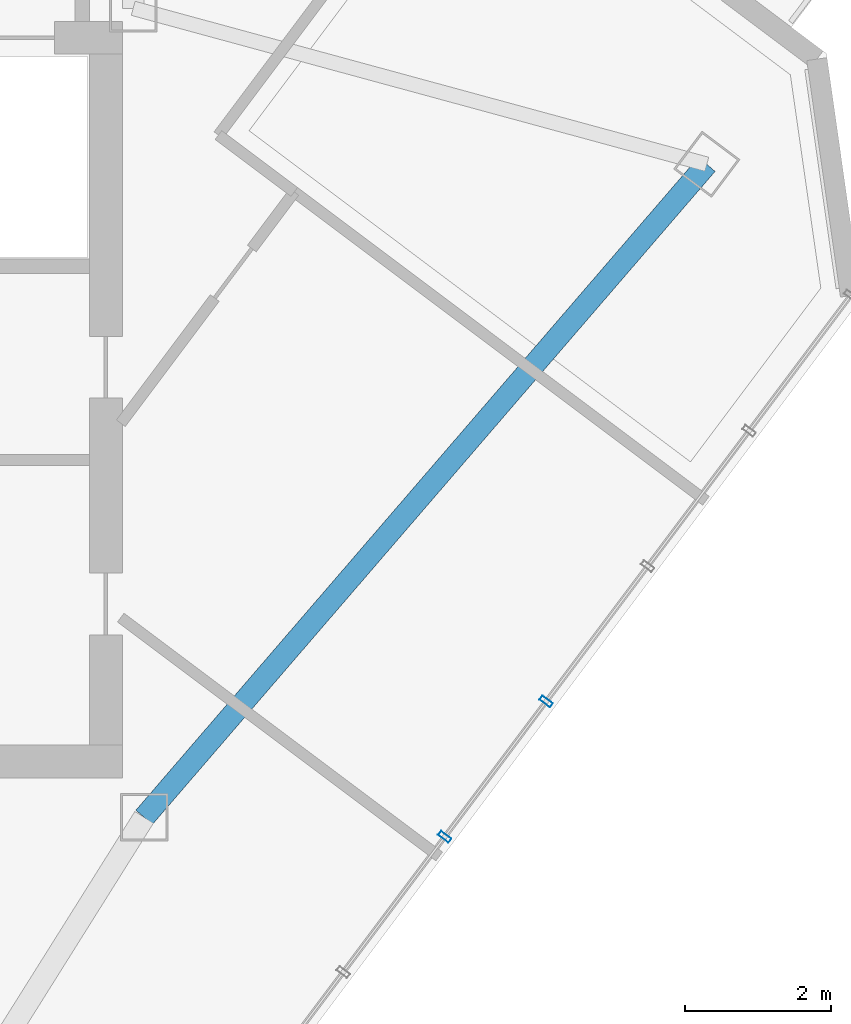
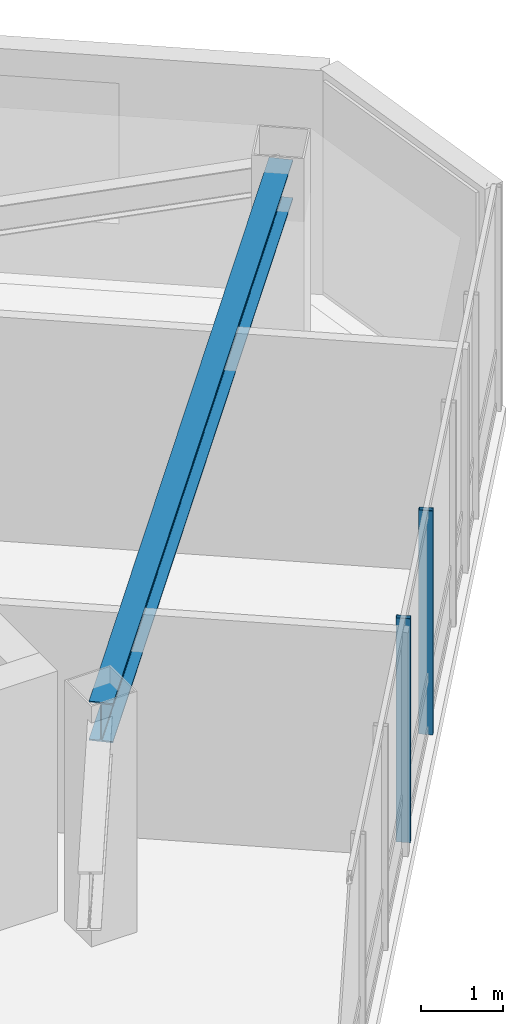
# One storey, part 7 of 22: 2 members, 1 beam, 1 element without a shape of its own.
"""IFC4 building model written with IfcOpenShell, lengths in metres."""

from ifc_helpers import new_model, si_unit, direction, frame, origin, origin_2d, place, context, subcontext, project, spatial, hollow_rectangle, i_section, extrude, material, layer, layer_set, material_profile, profile_set, type_object, element, aggregate, save


model = new_model("IFC4")

# Units and contexts
model_context = context("Model", 3, precision=1e-05, world=origin(), true_north=direction((0.0, 1.0)))
body_context = subcontext(model_context, "Body", "Model", "MODEL_VIEW")
ifc_project = project(units=[si_unit("LENGTHUNIT", "METRE"), si_unit("AREAUNIT", "SQUARE_METRE"), si_unit("VOLUMEUNIT", "CUBIC_METRE"), si_unit("PLANEANGLEUNIT", "RADIAN"), si_unit("MASSUNIT", "GRAM", prefix="KILO")], contexts=[model_context])

# Site, building, storey
site_placement = place(None, origin())
site = spatial("IfcSite", under=ifc_project, at=site_placement, CompositionType="ELEMENT")
building_placement = place(site_placement, origin())
building = spatial("IfcBuilding", under=site, at=building_placement, Name="Hatsunagi Terrace Concourse", CompositionType="ELEMENT")
storey_placement = place(building_placement, frame((0.0, 0.0, 243.14990234375)))
storey = spatial("IfcBuildingStorey", under=building, at=storey_placement, Name="L64", CompositionType="ELEMENT", Elevation=243.14990234375)

# Curtain wall, members
ifc_material_1 = material(Name="Anodised Aluminium Alloy 6063-T5", Category="aluminium")
ifc_layer = layer(ifc_material_1, 0.199951171875)
ifc_layer_set = layer_set([ifc_layer], Name="OfficeZone2_CW04")
curtain_wall_type = type_object("IfcCurtainWallType", Name="OfficeZone2_CW04", PredefinedType="NOTDEFINED", material=ifc_layer_set)
curtain_wall_placement = place(storey_placement, origin())
curtain_wall = element("IfcCurtainWall", 1, at=curtain_wall_placement, inside=storey, type_object=curtain_wall_type, Name="Unitised Curtain Wall CW-04 CW-L64-03", PredefinedType="NOTDEFINED")
ifc_material_2 = material(Name="Anodised Aluminium Alloy 6063-T5", Category="aluminium")
ifc_material_profile_1 = material_profile(ifc_material_2, hollow_rectangle(XDim=0.070068359375, YDim=0.179931640625, WallThickness=0.00390625, at=origin_2d()), Name="ALU-MUL-180x70x4")
ifc_profile_set_1 = profile_set([ifc_material_profile_1], Name="Anodised Aluminium Alloy 6063-T5")
member_type = type_object("IfcMemberType", Name="CurtainWallMullion_180x70", PredefinedType="MULLION", material=ifc_profile_set_1)
member_1_placement = place(storey_placement, frame((49.31591796875, 25.7890625, 0.0), z_axis=(0.0, 0.0, 1.0), x_axis=(-0.599969314634, -0.800023013105, 0.0)))
member_1 = element("IfcMember", 2, at=member_1_placement, type_object=member_type, Name="Curtain Wall Mullion MUL-02", PredefinedType="MULLION", context=body_context, shape_type="SweptSolid", body=[
    extrude(hollow_rectangle(XDim=0.070068359375, YDim=0.179931640625, WallThickness=0.00390625, at=origin_2d()), origin(), (0.0, 0.0, 1.0), 3.35009765625),
])
member_2_placement = place(storey_placement, frame((47.924072265625, 23.931884765625, 0.0), z_axis=(0.0, 0.0, 1.0), x_axis=(-0.599969314634, -0.800023013105, 0.0)))
member_2 = element("IfcMember", 3, at=member_2_placement, type_object=member_type, Name="Curtain Wall Mullion MUL-02", PredefinedType="MULLION", context=body_context, shape_type="SweptSolid", body=[
    extrude(hollow_rectangle(XDim=0.070068359375, YDim=0.179931640625, WallThickness=0.00390625, at=origin_2d()), origin(), (0.0, 0.0, 1.0), 3.35009765625),
])
aggregate(curtain_wall, [member_1, member_2])

# Beam
ifc_material_3 = material(Name="Steel SN490B", Category="steel")
ifc_material_profile_2 = material_profile(ifc_material_3, i_section(OverallWidth=0.300048828125, OverallDepth=0.587890625, WebThickness=0.011962890625, FlangeThickness=0.02001953125, FilletRadius=0.01806640625, at=origin_2d()), Name="H-588x300x12x20")
ifc_profile_set_2 = profile_set([ifc_material_profile_2], Name="Steel SN490B")
beam_type = type_object("IfcBeamType", Name="OfficeHighGirder_H_588x300", PredefinedType="BEAM", material=ifc_profile_set_2)
beam_placement = place(storey_placement, frame((43.800048828125, 24.199951171875, 3.05615234375), z_axis=(0.652739101421, 0.757582777969, 0.0), x_axis=(-0.757582777969, 0.652739101421, 0.0)))
element("IfcBeam", 4, at=beam_placement, inside=storey, type_object=beam_type, Name="Beam G-06 BM-L64-SET-1B", PredefinedType="BEAM", context=body_context, shape_type="SweptSolid", body=[
    extrude(i_section(OverallWidth=0.300048828125, OverallDepth=0.587890625, WebThickness=0.011962890625, FlangeThickness=0.02001953125, FilletRadius=0.01806640625, at=origin_2d()), origin(), (0.0, 0.0, 1.0), 11.8271484375),
])

save(model, "model.ifc")
